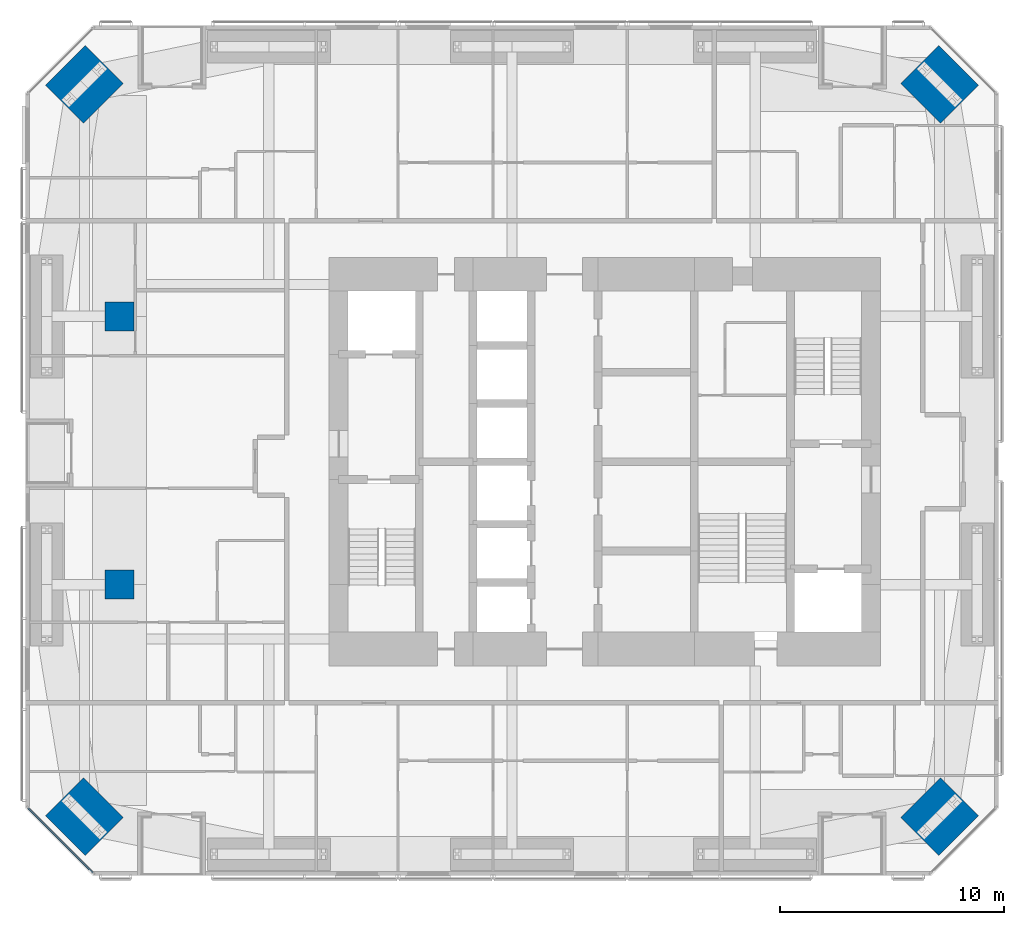
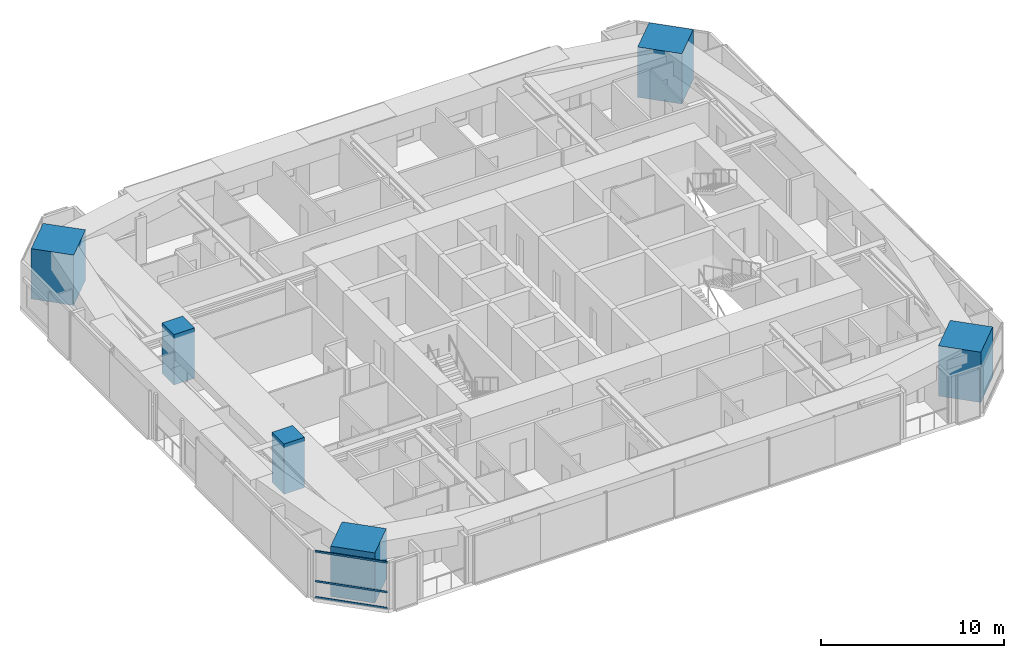
# One storey, part 1 of 23: 6 columns, 3 members, 1 element without a shape of its own.
"""IFC4 building model written with IfcOpenShell, lengths in metres."""

from ifc_helpers import new_model, si_unit, direction, frame, origin, origin_2d, place, context, subcontext, project, spatial, rectangle, extrude, material, material_profile, profile_set, type_object, element, aggregate, save


model = new_model("IFC4")

# Units and contexts
model_context = context("Model", 3, precision=1e-05, world=origin(), true_north=direction((0.0, 1.0)))
body_context = subcontext(model_context, "Body", "Model", "MODEL_VIEW")
ifc_project = project(units=[si_unit("LENGTHUNIT", "METRE"), si_unit("AREAUNIT", "SQUARE_METRE"), si_unit("VOLUMEUNIT", "CUBIC_METRE"), si_unit("PLANEANGLEUNIT", "RADIAN"), si_unit("MASSUNIT", "GRAM", prefix="KILO")], contexts=[model_context])

# Site, building, storey
site_placement = place(None, origin())
site = spatial("IfcSite", under=ifc_project, at=site_placement, CompositionType="ELEMENT")
building_placement = place(site_placement, origin())
building = spatial("IfcBuilding", under=site, at=building_placement, Name="Jalousie Tower", CompositionType="ELEMENT")
storey_placement = place(building_placement, frame((0.0, 0.0, 114.89990234375)))
storey = spatial("IfcBuildingStorey", under=building, at=storey_placement, Name="L31", CompositionType="ELEMENT", Elevation=114.89990234375)

# Columns
ifc_material_1 = material(Name="Concrete f'c 120 MPa", Category="concrete")
ifc_material_profile_1 = material_profile(ifc_material_1, rectangle(XDim=1.300048828125, YDim=1.300048828125, at=origin_2d()), Name="RC 1300x1300")
ifc_profile_set_1 = profile_set([ifc_material_profile_1], Name="Concrete f'c 120 MPa")
column_type_1 = type_object("IfcColumnType", Name="RC COLUMN 1300x1300", PredefinedType="COLUMN", material=ifc_profile_set_1)
for number, where, z_axis, x_axis, name in (
    (1, (10.199951171875, 13.0, 0.0), (0.0, 0.0, 1.0), (1.0, 0.0, 0.0), "Interior column IB1 L31"),
    (2, (10.199951171875, 25.0, 0.0), (0.0, 0.0, 1.0), (1.0, 0.0, 0.0), "Interior column IB2 L31"),
):
    element("IfcColumn", number, at=place(storey_placement, frame(where, z_axis=z_axis, x_axis=x_axis)), inside=storey, type_object=column_type_1, Name=name, PredefinedType="COLUMN", context=body_context, shape_type="SweptSolid", body=[
        extrude(rectangle(XDim=1.300048828125, YDim=1.300048828125, at=origin_2d()), origin(), (0.0, 0.0, 1.0), 3.35009765625),
    ])
ifc_material_2 = material(Name="Concrete f'c 120 MPa", Category="concrete")
ifc_material_profile_2 = material_profile(ifc_material_2, rectangle(XDim=2.39990234375, YDim=2.5, at=origin_2d()), Name="RC 2400x2500")
ifc_profile_set_2 = profile_set([ifc_material_profile_2], Name="Concrete f'c 120 MPa")
column_type_2 = type_object("IfcColumnType", Name="RC CORNER COLUMN 2400x2500", PredefinedType="COLUMN", material=ifc_profile_set_2)
for number, where, z_axis, x_axis, name in (
    (3, (8.63134765625, 2.63134765625, 0.0), (0.0, 0.0, 1.0), (0.707106781187, 0.707106781187, 0.0), "Corner column 01 L31"),
    (4, (46.86865234375, 2.63134765625, 0.0), (0.0, 0.0, 1.0), (-0.707106781187, 0.707106781187, 0.0), "Corner column 05 L31"),
    (5, (46.86865234375, 35.36865234375, 0.0), (0.0, 0.0, 1.0), (-0.707106781187, -0.707106781187, 0.0), "Corner column 08 L31"),
    (6, (8.63134765625, 35.36865234375, 0.0), (0.0, 0.0, 1.0), (0.707106781187, -0.707106781187, 0.0), "Corner column 12 L31"),
):
    element("IfcColumn", number, at=place(storey_placement, frame(where, z_axis=z_axis, x_axis=x_axis)), inside=storey, type_object=column_type_2, Name=name, PredefinedType="COLUMN", context=body_context, shape_type="SweptSolid", body=[
        extrude(rectangle(XDim=2.39990234375, YDim=2.5, at=origin_2d()), origin(), (0.0, 0.0, 1.0), 3.35009765625),
    ])

# Curtain wall, members
ifc_material_3 = material(Name="Aluminium curtain wall", Category="aluminium")
curtain_wall_type = type_object("IfcCurtainWallType", Name="CORNER WINDOW WALL", PredefinedType="USERDEFINED", material=ifc_material_3)
curtain_wall_placement = place(storey_placement, origin())
curtain_wall = element("IfcCurtainWall", 7, at=curtain_wall_placement, inside=storey, type_object=curtain_wall_type, Name="Corner Window Wall L31 8", ObjectType="CORNER WINDOW WALL", PredefinedType="USERDEFINED")
ifc_material_4 = material(Name="Aluminium transom", Category="aluminium")
ifc_material_profile_3 = material_profile(ifc_material_4, rectangle(XDim=0.06005859375, YDim=0.1201171875, at=origin_2d()), Name="TRANSOM 60x120")
ifc_profile_set_3 = profile_set([ifc_material_profile_3], Name="Aluminium transom")
member_type = type_object("IfcMemberType", Name="CORNER WINDOW WALL TRANSOM", PredefinedType="USERDEFINED", material=ifc_profile_set_3)
member_1_placement = place(storey_placement, frame((6.1298828125, 3.0087890625, 0.030029296875), z_axis=(0.707106781187, -0.707106781187, 0.0), x_axis=(0.707106781187, 0.707106781187, 0.0)))
member_1 = element("IfcMember", 8, at=member_1_placement, type_object=member_type, Name="CW-C transom 1.1", ObjectType="TRANSOM", PredefinedType="USERDEFINED", context=body_context, shape_type="SweptSolid", body=[
    extrude(rectangle(XDim=0.06005859375, YDim=0.1201171875, at=origin_2d()), origin(), (0.0, 0.0, 1.0), 4.0712890625),
])
member_2_placement = place(storey_placement, frame((6.1298828125, 3.0087890625, 1.10009765625), z_axis=(0.707106781187, -0.707106781187, 0.0), x_axis=(0.707106781187, 0.707106781187, 0.0)))
member_2 = element("IfcMember", 9, at=member_2_placement, type_object=member_type, Name="CW-C transom 1.2", ObjectType="TRANSOM", PredefinedType="USERDEFINED", context=body_context, shape_type="SweptSolid", body=[
    extrude(rectangle(XDim=0.06005859375, YDim=0.1201171875, at=origin_2d()), origin(), (0.0, 0.0, 1.0), 4.0712890625),
])
member_3_placement = place(storey_placement, frame((6.1298828125, 3.0087890625, 3.080078125), z_axis=(0.707106781187, -0.707106781187, 0.0), x_axis=(0.707106781187, 0.707106781187, 0.0)))
member_3 = element("IfcMember", 10, at=member_3_placement, type_object=member_type, Name="CW-C transom 1.3", ObjectType="TRANSOM", PredefinedType="USERDEFINED", context=body_context, shape_type="SweptSolid", body=[
    extrude(rectangle(XDim=0.06005859375, YDim=0.1201171875, at=origin_2d()), origin(), (0.0, 0.0, 1.0), 4.0712890625),
])
aggregate(curtain_wall, [member_1, member_2, member_3])

save(model, "model.ifc")
